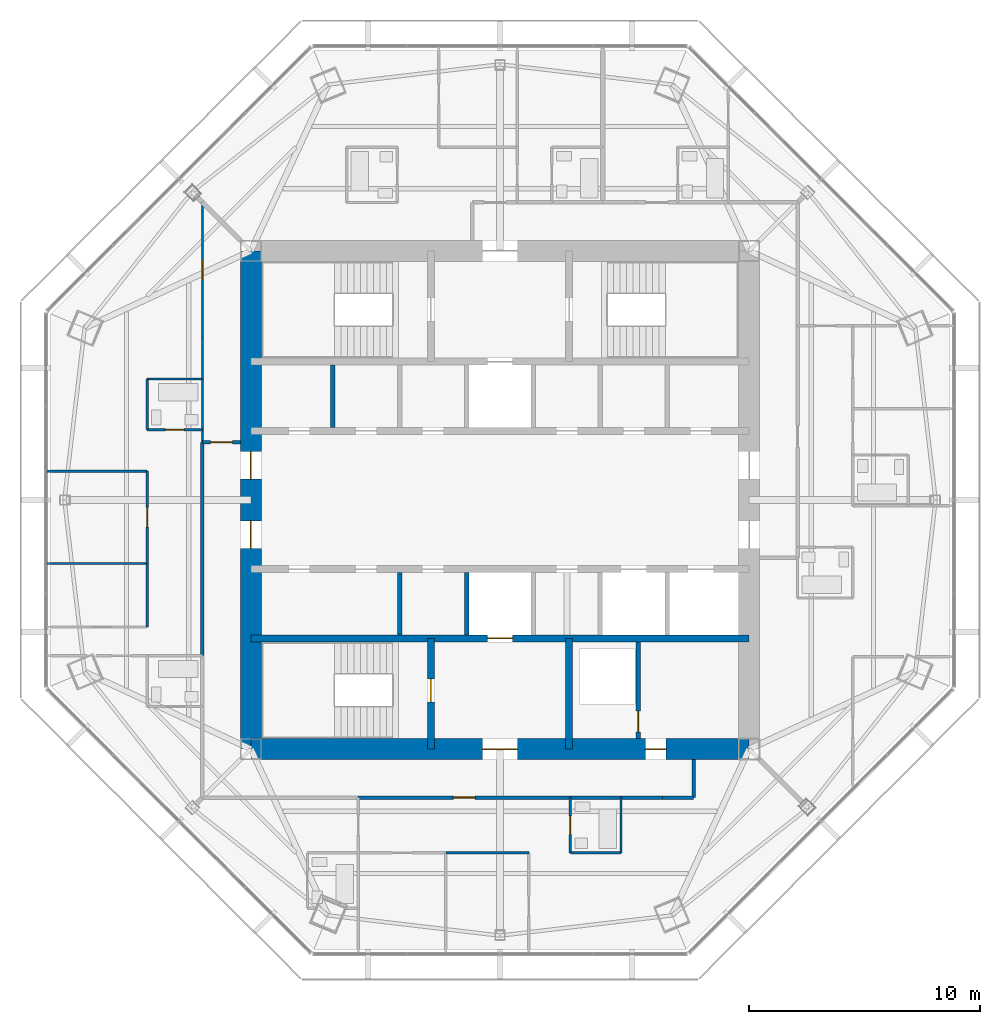
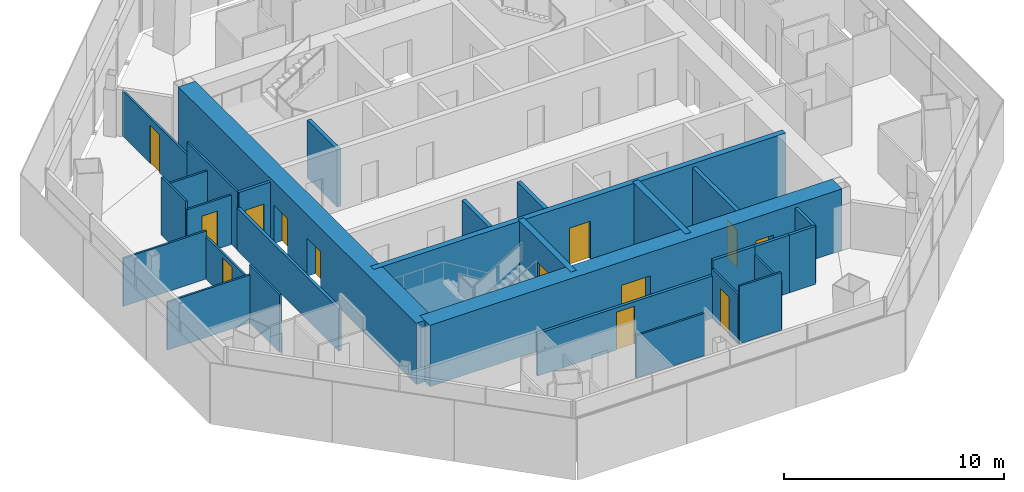
# One storey, part 9 of 15: 29 walls, 13 doors, 13 openings.
"""IFC4 building model written with IfcOpenShell, lengths in metres."""

from ifc_helpers import new_model, si_unit, direction, frame, frame_2d, origin, place, context, subcontext, project, spatial, rectangle, extrude, material, layer, layer_set, type_object, element, fill, save


model = new_model("IFC4")

# Units and contexts
model_context = context("Model", 3, precision=1e-05, world=origin(), true_north=direction((0.0, 1.0)))
body_context = subcontext(model_context, "Body", "Model", "MODEL_VIEW")
ifc_project = project(units=[si_unit("LENGTHUNIT", "METRE"), si_unit("AREAUNIT", "SQUARE_METRE"), si_unit("VOLUMEUNIT", "CUBIC_METRE"), si_unit("PLANEANGLEUNIT", "RADIAN"), si_unit("MASSUNIT", "GRAM", prefix="KILO")], contexts=[model_context])

# Site, building, storey
site_placement = place(None, origin())
site = spatial("IfcSite", under=ifc_project, at=site_placement, CompositionType="ELEMENT")
building_placement = place(site_placement, origin())
building = spatial("IfcBuilding", under=site, at=building_placement, Name="Mashrafa Tower", CompositionType="ELEMENT")
storey_placement = place(building_placement, frame((0.0, 0.0, 294.60009765625)))
storey = spatial("IfcBuildingStorey", under=building, at=storey_placement, Name="L72", CompositionType="ELEMENT", Elevation=294.60009765625)

# Wall, opening, door
ifc_material_1 = material(Name="Concrete masonry unit", Category="masonry")
ifc_layer_1 = layer(ifc_material_1, 0.199951171875)
ifc_layer_set_1 = layer_set([ifc_layer_1], Name="Blockwork wall 200 2 hr")
wall_type_1 = type_object("IfcWallType", Name="Blockwork wall 200 2 hr", PredefinedType="PARTITIONING", material=ifc_layer_set_1)
wall_1_placement = place(storey_placement, frame((6.0, -10.35009765625, 0.0), z_axis=(0.0, 0.0, 1.0), x_axis=(0.0, 1.0, 0.0)))
wall_1 = element("IfcWall", 1, at=wall_1_placement, inside=storey, type_object=wall_type_1, Name="Riser enclosure wall L72", PredefinedType="PARTITIONING", context=body_context, shape_type="SweptSolid", body=[
    extrude(rectangle(XDim=4.2001953125, YDim=0.199951171875, at=frame_2d((2.10009765625, 0.0))), origin(), (0.0, 0.0, 1.0), 3.199951171875),
])
opening_1_placement = place(wall_1_placement, frame((0.300048828125, 0.0, 0.0)))
opening_1 = element("IfcOpeningElement", 2, at=opening_1_placement, cuts=wall_1, Name="Opening 72.039", PredefinedType="OPENING", context=body_context, shape_type="SweptSolid", body=[
    extrude(rectangle(XDim=0.89990234375, YDim=2.10009765625, at=frame_2d((0.449951171875, 1.050048828125))), frame((0.0, 0.10986328125, 0.0), z_axis=(0.0, -1.0, 0.0), x_axis=(1.0, 0.0, 0.0)), (0.0, 0.0, 1.0), 0.219970703125),
])
ifc_material_2 = material(Name="Steel door", Category="steel")
door_type_1 = type_object("IfcDoorType", Name="Service door 900 x 2100 90 min", OperationType="USERDEFINED", PredefinedType="DOOR", material=ifc_material_2)
door_1_placement = place(opening_1_placement, origin())
door_1 = element("IfcDoor", 3, at=door_1_placement, inside=storey, type_object=door_type_1, Name="Riser door L72", OperationType="SINGLE_SWING_LEFT", OverallHeight=2.10009765625, OverallWidth=0.89990234375, PredefinedType="DOOR", context=body_context, shape_type="SweptSolid", body=[
    extrude(rectangle(XDim=0.89990234375, YDim=2.10009765625, at=frame_2d((0.449951171875, 1.050048828125))), frame((0.0, 0.02490234375, 0.0), z_axis=(0.0, -1.0, 0.0), x_axis=(1.0, 0.0, 0.0)), (0.0, 0.0, 1.0), 0.050048828125),
])
fill(opening_1, door_1)

ifc_material_3 = material(Name="Concrete C50/60", Category="concrete")
ifc_layer_2 = layer(ifc_material_3, 0.300048828125)
ifc_layer_set_2 = layer_set([ifc_layer_2], Name="Core wall 300 C50/60")
wall_type_2 = type_object("IfcWallType", Name="Core wall 300 C50/60", PredefinedType="SOLIDWALL", material=ifc_layer_set_2)
wall_2_placement = place(storey_placement, frame((-10.800048828125, -6.0, 0.0), z_axis=(0.0, 0.0, 1.0), x_axis=(1.0, 0.0, 0.0)))
wall_2 = element("IfcWall", 4, at=wall_2_placement, inside=storey, type_object=wall_type_2, Name="Core wall CB-S L72", PredefinedType="SOLIDWALL", context=body_context, shape_type="SweptSolid", body=[
    extrude(rectangle(XDim=21.60009765625, YDim=0.300048828125, at=frame_2d((10.800048828125, 0.0))), origin(), (0.0, 0.0, 1.0), 3.39990234375),
])
opening_2_placement = place(wall_2_placement, frame((10.25, 0.0, 0.0)))
opening_2 = element("IfcOpeningElement", 5, at=opening_2_placement, cuts=wall_2, Name="Opening 72.F2", PredefinedType="OPENING", context=body_context, shape_type="SweptSolid", body=[
    extrude(rectangle(XDim=1.10009765625, YDim=2.10009765625, at=frame_2d((0.550048828125, 1.050048828125))), frame((0.0, 0.159912109375, 0.0), z_axis=(0.0, -1.0, 0.0), x_axis=(1.0, 0.0, 0.0)), (0.0, 0.0, 1.0), 0.320068359375),
])
ifc_material_4 = material(Name="Steel door", Category="steel")
door_type_2 = type_object("IfcDoorType", Name="Lift landing door 1100 x 2100 90 min", OperationType="DOUBLE_DOOR_SLIDING", PredefinedType="DOOR", material=ifc_material_4)
door_2_placement = place(opening_2_placement, origin())
door_2 = element("IfcDoor", 6, at=door_2_placement, inside=storey, type_object=door_type_2, Name="Lift landing door F2 L72", OperationType="DOUBLE_DOOR_SLIDING", OverallHeight=2.10009765625, OverallWidth=1.10009765625, PredefinedType="DOOR", context=body_context, shape_type="SweptSolid", body=[
    extrude(rectangle(XDim=1.10009765625, YDim=2.10009765625, at=frame_2d((0.550048828125, 1.050048828125))), frame((0.0, 0.02490234375, 0.0), z_axis=(0.0, -1.0, 0.0), x_axis=(1.0, 0.0, 0.0)), (0.0, 0.0, 1.0), 0.050048828125),
])
fill(opening_2, door_2)

wall_3_placement = place(storey_placement, frame((-3.0, -6.0, 0.0), z_axis=(0.0, 0.0, 1.0), x_axis=(0.0, -1.0, 0.0)))
wall_3 = element("IfcWall", 7, at=wall_3_placement, inside=storey, type_object=wall_type_2, Name="Core wall CX-SW L72", PredefinedType="SOLIDWALL", context=body_context, shape_type="SweptSolid", body=[
    extrude(rectangle(XDim=4.800048828125, YDim=0.300048828125, at=frame_2d((2.39990234375, 0.0))), origin(), (0.0, 0.0, 1.0), 3.39990234375),
])
opening_3_placement = place(wall_3_placement, frame((1.75, 0.0, 0.0)))
opening_3 = element("IfcOpeningElement", 8, at=opening_3_placement, cuts=wall_3, Name="Opening 72.037", PredefinedType="OPENING", context=body_context, shape_type="SweptSolid", body=[
    extrude(rectangle(XDim=1.0, YDim=2.10009765625, at=frame_2d((0.5, 1.050048828125))), frame((0.0, 0.159912109375, 0.0), z_axis=(0.0, -1.0, 0.0), x_axis=(1.0, 0.0, 0.0)), (0.0, 0.0, 1.0), 0.320068359375),
])
ifc_material_5 = material(Name="Steel door", Category="steel")
door_type_3 = type_object("IfcDoorType", Name="Stair door 1000 x 2100 90 min", OperationType="USERDEFINED", PredefinedType="DOOR", material=ifc_material_5)
door_3_placement = place(opening_3_placement, frame((1.0, 0.0, 0.0), z_axis=(0.0, 0.0, 1.0), x_axis=(-1.0, 0.0, 0.0)))
door_3 = element("IfcDoor", 9, at=door_3_placement, inside=storey, type_object=door_type_3, Name="Stair S3 door L72", OperationType="SINGLE_SWING_RIGHT", OverallHeight=2.10009765625, OverallWidth=1.0, PredefinedType="DOOR", context=body_context, shape_type="SweptSolid", body=[
    extrude(rectangle(XDim=1.0, YDim=2.10009765625, at=frame_2d((0.5, 1.050048828125))), frame((0.0, 0.02490234375, 0.0), z_axis=(0.0, -1.0, 0.0), x_axis=(1.0, 0.0, 0.0)), (0.0, 0.0, 1.0), 0.050048828125),
])
fill(opening_3, door_3)

# Wall
wall_4_placement = place(storey_placement, frame((3.0, -6.0, 0.0), z_axis=(0.0, 0.0, 1.0), x_axis=(0.0, -1.0, 0.0)))
element("IfcWall", 10, at=wall_4_placement, inside=storey, type_object=wall_type_2, Name="Core wall CX-SE L72", PredefinedType="SOLIDWALL", context=body_context, shape_type="SweptSolid", body=[
    extrude(rectangle(XDim=4.800048828125, YDim=0.300048828125, at=frame_2d((2.39990234375, 0.0))), origin(), (0.0, 0.0, 1.0), 3.39990234375),
])

# Wall, openings, doors
ifc_material_6 = material(Name="Concrete C50/60", Category="concrete")
ifc_layer_3 = layer(ifc_material_6, 0.89990234375)
ifc_layer_set_3 = layer_set([ifc_layer_3], Name="Core wall 900 C50/60")
wall_type_3 = type_object("IfcWallType", Name="Core wall 900 C50/60", PredefinedType="SOLIDWALL", material=ifc_layer_set_3)
wall_5_placement = place(storey_placement, frame((-10.800048828125, -10.800048828125, 0.0), z_axis=(0.0, 0.0, 1.0), x_axis=(1.0, 0.0, 0.0)))
wall_5 = element("IfcWall", 11, at=wall_5_placement, inside=storey, type_object=wall_type_3, Name="Core wall CW-S L72", PredefinedType="SOLIDWALL", context=body_context, shape_type="SweptSolid", body=[
    extrude(rectangle(XDim=21.60009765625, YDim=0.89990234375, at=frame_2d((10.800048828125, 0.0))), origin(), (0.0, 0.0, 1.0), 3.39990234375),
])
opening_4_placement = place(wall_5_placement, frame((10.050048828125, 0.0, 0.0)))
opening_4 = element("IfcOpeningElement", 12, at=opening_4_placement, cuts=wall_5, Name="Opening 72.034", PredefinedType="OPENING", context=body_context, shape_type="SweptSolid", body=[
    extrude(rectangle(XDim=1.5, YDim=2.10009765625, at=frame_2d((0.75, 1.050048828125))), frame((0.0, 0.4599609375, 0.0), z_axis=(0.0, -1.0, 0.0), x_axis=(1.0, 0.0, 0.0)), (0.0, 0.0, 1.0), 0.919921875),
])
opening_5_placement = place(wall_5_placement, frame((17.10009765625, 0.0, 0.0)))
opening_5 = element("IfcOpeningElement", 13, at=opening_5_placement, cuts=wall_5, Name="Opening 72.038", PredefinedType="OPENING", context=body_context, shape_type="SweptSolid", body=[
    extrude(rectangle(XDim=0.89990234375, YDim=2.10009765625, at=frame_2d((0.449951171875, 1.050048828125))), frame((0.0, 0.4599609375, 0.0), z_axis=(0.0, -1.0, 0.0), x_axis=(1.0, 0.0, 0.0)), (0.0, 0.0, 1.0), 0.919921875),
])
ifc_material_7 = material(Name="Steel door", Category="steel")
door_type_4 = type_object("IfcDoorType", Name="Lobby door pair 1500 x 2100 90 min", OperationType="DOUBLE_DOOR_SINGLE_SWING", PredefinedType="DOOR", material=ifc_material_7)
door_4_placement = place(opening_4_placement, origin())
door_4 = element("IfcDoor", 14, at=door_4_placement, inside=storey, type_object=door_type_4, Name="Fire-fighting lobby F2 door L72", OperationType="DOUBLE_DOOR_SINGLE_SWING", OverallHeight=2.10009765625, OverallWidth=1.5, PredefinedType="DOOR", context=body_context, shape_type="SweptSolid", body=[
    extrude(rectangle(XDim=1.5, YDim=2.10009765625, at=frame_2d((0.75, 1.050048828125))), frame((0.0, 0.02490234375, 0.0), z_axis=(0.0, -1.0, 0.0), x_axis=(1.0, 0.0, 0.0)), (0.0, 0.0, 1.0), 0.050048828125),
])
fill(opening_4, door_4)
door_5_placement = place(opening_5_placement, origin())
door_5 = element("IfcDoor", 15, at=door_5_placement, inside=storey, type_object=door_type_1, Name="Communications Room L72 door", OperationType="SINGLE_SWING_LEFT", OverallHeight=2.10009765625, OverallWidth=0.89990234375, PredefinedType="DOOR", context=body_context, shape_type="SweptSolid", body=[
    extrude(rectangle(XDim=0.89990234375, YDim=2.10009765625, at=frame_2d((0.449951171875, 1.050048828125))), frame((0.0, 0.02490234375, 0.0), z_axis=(0.0, -1.0, 0.0), x_axis=(1.0, 0.0, 0.0)), (0.0, 0.0, 1.0), 0.050048828125),
])
fill(opening_5, door_5)

wall_6_placement = place(storey_placement, frame((-10.800048828125, 10.800048828125, 0.0), z_axis=(0.0, 0.0, 1.0), x_axis=(0.0, -1.0, 0.0)))
wall_6 = element("IfcWall", 16, at=wall_6_placement, inside=storey, type_object=wall_type_3, Name="Core wall CW-W L72", PredefinedType="SOLIDWALL", context=body_context, shape_type="SweptSolid", body=[
    extrude(rectangle(XDim=21.60009765625, YDim=0.89990234375, at=frame_2d((10.800048828125, 0.0))), origin(), (0.0, 0.0, 1.0), 3.39990234375),
])
opening_6_placement = place(wall_6_placement, frame((8.699951171875, 0.0, 0.0)))
opening_6 = element("IfcOpeningElement", 17, at=opening_6_placement, cuts=wall_6, Name="Opening 72.030", PredefinedType="OPENING", context=body_context, shape_type="SweptSolid", body=[
    extrude(rectangle(XDim=1.199951171875, YDim=2.10009765625, at=frame_2d((0.60009765625, 1.050048828125))), frame((0.0, 0.4599609375, 0.0), z_axis=(0.0, -1.0, 0.0), x_axis=(1.0, 0.0, 0.0)), (0.0, 0.0, 1.0), 0.919921875),
])
opening_7_placement = place(wall_6_placement, frame((11.699951171875, 0.0, 0.0)))
opening_7 = element("IfcOpeningElement", 18, at=opening_7_placement, cuts=wall_6, Name="Opening 72.032", PredefinedType="OPENING", context=body_context, shape_type="SweptSolid", body=[
    extrude(rectangle(XDim=1.199951171875, YDim=2.10009765625, at=frame_2d((0.60009765625, 1.050048828125))), frame((0.0, 0.4599609375, 0.0), z_axis=(0.0, -1.0, 0.0), x_axis=(1.0, 0.0, 0.0)), (0.0, 0.0, 1.0), 0.919921875),
])
ifc_material_8 = material(Name="Steel door", Category="steel")
door_type_5 = type_object("IfcDoorType", Name="Lift hall door 1200 x 2100 90 min", OperationType="USERDEFINED", PredefinedType="DOOR", material=ifc_material_8)
door_6_placement = place(opening_6_placement, origin())
door_6 = element("IfcDoor", 19, at=door_6_placement, inside=storey, type_object=door_type_5, Name="Lift hall door west L72", OperationType="SINGLE_SWING_LEFT", OverallHeight=2.10009765625, OverallWidth=1.199951171875, PredefinedType="DOOR", context=body_context, shape_type="SweptSolid", body=[
    extrude(rectangle(XDim=1.199951171875, YDim=2.10009765625, at=frame_2d((0.60009765625, 1.050048828125))), frame((0.0, 0.02490234375, 0.0), z_axis=(0.0, -1.0, 0.0), x_axis=(1.0, 0.0, 0.0)), (0.0, 0.0, 1.0), 0.050048828125),
])
fill(opening_6, door_6)
door_7_placement = place(opening_7_placement, frame((1.199951171875, 0.0, 0.0), z_axis=(0.0, 0.0, 1.0), x_axis=(-1.0, 0.0, 0.0)))
door_7 = element("IfcDoor", 20, at=door_7_placement, inside=storey, type_object=door_type_5, Name="Lift hall door west L72", OperationType="SINGLE_SWING_RIGHT", OverallHeight=2.10009765625, OverallWidth=1.199951171875, PredefinedType="DOOR", context=body_context, shape_type="SweptSolid", body=[
    extrude(rectangle(XDim=1.199951171875, YDim=2.10009765625, at=frame_2d((0.60009765625, 1.050048828125))), frame((0.0, 0.02490234375, 0.0), z_axis=(0.0, -1.0, 0.0), x_axis=(1.0, 0.0, 0.0)), (0.0, 0.0, 1.0), 0.050048828125),
])
fill(opening_7, door_7)

# Walls
ifc_material_9 = material(Name="Gypsum board on steel studs", Category="steel")
ifc_layer_4 = layer(ifc_material_9, 0.14990234375)
ifc_layer_set_4 = layer_set([ifc_layer_4], Name="Corridor partition 150 1 hr")
wall_type_4 = type_object("IfcWallType", Name="Corridor partition 150 1 hr", PredefinedType="PARTITIONING", material=ifc_layer_set_4)
wall_7_placement = place(storey_placement, frame((-12.89990234375, 2.5, 0.0), z_axis=(0.0, 0.0, 1.0), x_axis=(0.0, -1.0, 0.0)))
element("IfcWall", 21, at=wall_7_placement, inside=storey, type_object=wall_type_4, Name="Corridor wall L72-015", PredefinedType="PARTITIONING", context=body_context, shape_type="SweptSolid", body=[
    extrude(rectangle(XDim=9.2509765625, YDim=0.14990234375, at=frame_2d((4.62548828125, 0.0))), origin(), (0.0, 0.0, 1.0), 2.34912109375),
])
wall_8_placement = place(storey_placement, frame((5.2490234375, -12.89990234375, 0.0), z_axis=(0.0, 0.0, 1.0), x_axis=(1.0, 0.0, 0.0)))
element("IfcWall", 22, at=wall_8_placement, inside=storey, type_object=wall_type_4, Name="Corridor wall L72-016", PredefinedType="PARTITIONING", context=body_context, shape_type="SweptSolid", body=[
    extrude(rectangle(XDim=1.802001953125, YDim=0.14990234375, at=frame_2d((0.90087890625, 0.0))), origin(), (0.0, 0.0, 1.0), 3.199951171875),
])
wall_9_placement = place(storey_placement, frame((3.049072265625, -12.89990234375, 0.0), z_axis=(0.0, 0.0, 1.0), x_axis=(1.0, 0.0, 0.0)))
element("IfcWall", 23, at=wall_9_placement, inside=storey, type_object=wall_type_4, Name="Corridor wall L72-017", PredefinedType="PARTITIONING", context=body_context, shape_type="SweptSolid", body=[
    extrude(rectangle(XDim=2.201904296875, YDim=0.14990234375, at=frame_2d((1.10107421875, 0.0))), origin(), (0.0, 0.0, 1.0), 3.199951171875),
])

# Wall, opening, door
wall_10_placement = place(storey_placement, frame((-6.15087890625, -12.89990234375, 0.0), z_axis=(0.0, 0.0, 1.0), x_axis=(1.0, 0.0, 0.0)))
wall_10 = element("IfcWall", 24, at=wall_10_placement, inside=storey, type_object=wall_type_4, Name="Corridor wall L72-019", PredefinedType="PARTITIONING", context=body_context, shape_type="SweptSolid", body=[
    extrude(rectangle(XDim=9.201904296875, YDim=0.14990234375, at=frame_2d((4.60107421875, 0.0))), origin(), (0.0, 0.0, 1.0), 2.34912109375),
])
opening_8_placement = place(wall_10_placement, frame((4.1259765625, 0.0, 0.0)))
opening_8 = element("IfcOpeningElement", 25, at=opening_8_placement, cuts=wall_10, Name="Opening 72.027", PredefinedType="OPENING", context=body_context, shape_type="SweptSolid", body=[
    extrude(rectangle(XDim=0.949951171875, YDim=2.10009765625, at=frame_2d((0.47509765625, 1.050048828125))), frame((0.0, 0.0849609375, 0.0), z_axis=(0.0, -1.0, 0.0), x_axis=(1.0, 0.0, 0.0)), (0.0, 0.0, 1.0), 0.169921875),
])
ifc_material_10 = material(Name="Steel door", Category="steel")
door_type_6 = type_object("IfcDoorType", Name="Residence entrance door 950 x 2100 20 min", OperationType="USERDEFINED", PredefinedType="DOOR", material=ifc_material_10)
door_8_placement = place(opening_8_placement, frame((0.949951171875, 0.0, 0.0), z_axis=(0.0, 0.0, 1.0), x_axis=(-1.0, 0.0, 0.0)))
door_8 = element("IfcDoor", 26, at=door_8_placement, inside=storey, type_object=door_type_6, Name="Apartment 7205 Living Room door", OperationType="SINGLE_SWING_RIGHT", OverallHeight=2.10009765625, OverallWidth=0.949951171875, PredefinedType="DOOR", context=body_context, shape_type="SweptSolid", body=[
    extrude(rectangle(XDim=0.949951171875, YDim=2.10009765625, at=frame_2d((0.47509765625, 1.050048828125))), frame((0.0, 0.02490234375, 0.0), z_axis=(0.0, -1.0, 0.0), x_axis=(1.0, 0.0, 0.0)), (0.0, 0.0, 1.0), 0.050048828125),
])
fill(opening_8, door_8)

# Walls
wall_11_placement = place(storey_placement, frame((7.049072265625, -12.89990234375, 0.0), z_axis=(0.0, 0.0, 1.0), x_axis=(1.0, 0.0, 0.0)))
element("IfcWall", 27, at=wall_11_placement, inside=storey, type_object=wall_type_4, Name="Corridor wall L72-020", PredefinedType="PARTITIONING", context=body_context, shape_type="SweptSolid", body=[
    extrude(rectangle(XDim=1.350830078125, YDim=0.14990234375, at=frame_2d((0.67529296875, 0.0))), origin(), (0.0, 0.0, 1.0), 3.199951171875),
])
wall_12_placement = place(storey_placement, frame((8.39990234375, -12.89990234375, 0.0), z_axis=(0.0, 0.0, 1.0), x_axis=(0.0, 1.0, 0.0)))
element("IfcWall", 28, at=wall_12_placement, inside=storey, type_object=wall_type_4, Name="Corridor wall L72-021", PredefinedType="PARTITIONING", context=body_context, shape_type="SweptSolid", body=[
    extrude(rectangle(XDim=1.64990234375, YDim=0.14990234375, at=frame_2d((0.824951171875, 0.0))), origin(), (0.0, 0.0, 1.0), 3.199951171875),
])

# Wall, opening, door
wall_13_placement = place(storey_placement, frame((-11.25, 2.5, 0.0), z_axis=(0.0, 0.0, 1.0), x_axis=(-1.0, 0.0, 0.0)))
wall_13 = element("IfcWall", 29, at=wall_13_placement, inside=storey, type_object=wall_type_4, Name="Corridor wall L72-022", PredefinedType="PARTITIONING", context=body_context, shape_type="SweptSolid", body=[
    extrude(rectangle(XDim=1.64990234375, YDim=0.14990234375, at=frame_2d((0.824951171875, 0.0))), origin(), (0.0, 0.0, 1.0), 3.199951171875),
])
opening_9_placement = place(wall_13_placement, frame((0.35009765625, 0.0, 0.0)))
opening_9 = element("IfcOpeningElement", 30, at=opening_9_placement, cuts=wall_13, Name="Opening 72.028", PredefinedType="OPENING", context=body_context, shape_type="SweptSolid", body=[
    extrude(rectangle(XDim=0.949951171875, YDim=2.10009765625, at=frame_2d((0.47509765625, 1.050048828125))), frame((0.0, 0.0849609375, 0.0), z_axis=(0.0, -1.0, 0.0), x_axis=(1.0, 0.0, 0.0)), (0.0, 0.0, 1.0), 0.169921875),
])
door_9_placement = place(opening_9_placement, origin())
door_9 = element("IfcDoor", 31, at=door_9_placement, inside=storey, type_object=door_type_6, Name="Apartment 7204 Entrance Hall door", OperationType="SINGLE_SWING_RIGHT", OverallHeight=2.10009765625, OverallWidth=0.949951171875, PredefinedType="DOOR", context=body_context, shape_type="SweptSolid", body=[
    extrude(rectangle(XDim=0.949951171875, YDim=2.10009765625, at=frame_2d((0.47509765625, 1.050048828125))), frame((0.0, 0.02490234375, 0.0), z_axis=(0.0, -1.0, 0.0), x_axis=(1.0, 0.0, 0.0)), (0.0, 0.0, 1.0), 0.050048828125),
])
fill(opening_9, door_9)

# Walls
ifc_material_11 = material(Name="Gypsum board on steel studs", Category="steel")
ifc_layer_5 = layer(ifc_material_11, 0.10009765625)
ifc_layer_set_5 = layer_set([ifc_layer_5], Name="Partition 100")
wall_type_5 = type_object("IfcWallType", Name="Partition 100", PredefinedType="PARTITIONING", material=ifc_layer_set_5)
wall_14_placement = place(storey_placement, frame((-15.300048828125, -2.75, 0.0), z_axis=(0.0, 0.0, 1.0), x_axis=(-1.0, 0.0, 0.0)))
element("IfcWall", 32, at=wall_14_placement, inside=storey, type_object=wall_type_5, Name="Partition wall L72-023", PredefinedType="PARTITIONING", context=body_context, shape_type="SweptSolid", body=[
    extrude(rectangle(XDim=4.36279296875, YDim=0.10009765625, at=frame_2d((2.181396484375, 0.0))), origin(), (0.0, 0.0, 1.0), 2.66162109375),
])
wall_15_placement = place(storey_placement, frame((-15.300048828125, -5.50341796875, 0.0), z_axis=(0.0, 0.0, 1.0), x_axis=(0.0, 1.0, 0.0)))
element("IfcWall", 33, at=wall_15_placement, inside=storey, type_object=wall_type_5, Name="Partition wall L72-025", PredefinedType="PARTITIONING", context=body_context, shape_type="SweptSolid", body=[
    extrude(rectangle(XDim=2.75341796875, YDim=0.10009765625, at=frame_2d((1.376708984375, 0.0))), origin(), (0.0, 0.0, 1.0), 3.199951171875),
])
wall_16_placement = place(storey_placement, frame((-15.300048828125, 5.25, 0.0), z_axis=(0.0, 0.0, 1.0), x_axis=(1.0, 0.0, 0.0)))
element("IfcWall", 34, at=wall_16_placement, inside=storey, type_object=wall_type_5, Name="Partition wall L72-064", PredefinedType="PARTITIONING", context=body_context, shape_type="SweptSolid", body=[
    extrude(rectangle(XDim=2.400146484375, YDim=0.10009765625, at=frame_2d((1.2001953125, 0.0))), origin(), (0.0, 0.0, 1.0), 2.730224609375),
])
wall_17_placement = place(storey_placement, frame((-12.89990234375, 7.050048828125, 0.0), z_axis=(0.0, 0.0, 1.0), x_axis=(0.0, -1.0, 0.0)))
element("IfcWall", 35, at=wall_17_placement, inside=storey, type_object=wall_type_5, Name="Partition wall L72-065", PredefinedType="PARTITIONING", context=body_context, shape_type="SweptSolid", body=[
    extrude(rectangle(XDim=4.551025390625, YDim=0.10009765625, at=frame_2d((2.275390625, 0.0))), origin(), (0.0, 0.0, 1.0), 3.199951171875),
])
wall_18_placement = place(storey_placement, frame((-15.300048828125, 5.25, 0.0), z_axis=(0.0, 0.0, 1.0), x_axis=(0.0, -1.0, 0.0)))
element("IfcWall", 36, at=wall_18_placement, inside=storey, type_object=wall_type_5, Name="Partition wall L72-066", PredefinedType="PARTITIONING", context=body_context, shape_type="SweptSolid", body=[
    extrude(rectangle(XDim=2.199951171875, YDim=0.10009765625, at=frame_2d((1.10009765625, 0.0))), origin(), (0.0, 0.0, 1.0), 3.199951171875),
])

# Wall, opening, door
wall_19_placement = place(storey_placement, frame((-15.300048828125, 3.050048828125, 0.0), z_axis=(0.0, 0.0, 1.0), x_axis=(1.0, 0.0, 0.0)))
wall_19 = element("IfcWall", 37, at=wall_19_placement, inside=storey, type_object=wall_type_5, Name="Partition wall L72-067", PredefinedType="PARTITIONING", context=body_context, shape_type="SweptSolid", body=[
    extrude(rectangle(XDim=2.400146484375, YDim=0.10009765625, at=frame_2d((1.2001953125, 0.0))), origin(), (0.0, 0.0, 1.0), 2.730224609375),
])
opening_10_placement = place(wall_19_placement, frame((0.800048828125, 0.0, 0.0)))
opening_10 = element("IfcOpeningElement", 38, at=opening_10_placement, cuts=wall_19, Name="Opening 72.017", PredefinedType="OPENING", context=body_context, shape_type="SweptSolid", body=[
    extrude(rectangle(XDim=0.800048828125, YDim=2.10009765625, at=frame_2d((0.39990234375, 1.050048828125))), frame((0.0, 0.06005859375, 0.0), z_axis=(0.0, -1.0, 0.0), x_axis=(1.0, 0.0, 0.0)), (0.0, 0.0, 1.0), 0.1201171875),
])
ifc_material_12 = material(Name="Timber door", Category="wood")
door_type_7 = type_object("IfcDoorType", Name="Bathroom door 800 x 2100", OperationType="USERDEFINED", PredefinedType="DOOR", material=ifc_material_12)
door_10_placement = place(opening_10_placement, origin())
door_10 = element("IfcDoor", 39, at=door_10_placement, inside=storey, type_object=door_type_7, Name="Apartment 7204 Bathroom door", OperationType="SINGLE_SWING_RIGHT", OverallHeight=2.10009765625, OverallWidth=0.800048828125, PredefinedType="DOOR", context=body_context, shape_type="SweptSolid", body=[
    extrude(rectangle(XDim=0.800048828125, YDim=2.10009765625, at=frame_2d((0.39990234375, 1.050048828125))), frame((0.0, 0.02490234375, 0.0), z_axis=(0.0, -1.0, 0.0), x_axis=(1.0, 0.0, 0.0)), (0.0, 0.0, 1.0), 0.050048828125),
])
fill(opening_10, door_10)

wall_20_placement = place(storey_placement, frame((-15.300048828125, -2.75, 0.0), z_axis=(0.0, 0.0, 1.0), x_axis=(0.0, 1.0, 0.0)))
wall_20 = element("IfcWall", 40, at=wall_20_placement, inside=storey, type_object=wall_type_5, Name="Partition wall L72-069", PredefinedType="PARTITIONING", context=body_context, shape_type="SweptSolid", body=[
    extrude(rectangle(XDim=4.0, YDim=0.10009765625, at=frame_2d((2.0, 0.0))), origin(), (0.0, 0.0, 1.0), 2.34912109375),
])
opening_11_placement = place(wall_20_placement, frame((1.574951171875, 0.0, 0.0)))
opening_11 = element("IfcOpeningElement", 41, at=opening_11_placement, cuts=wall_20, Name="Opening 72.018", PredefinedType="OPENING", context=body_context, shape_type="SweptSolid", body=[
    extrude(rectangle(XDim=0.85009765625, YDim=2.10009765625, at=frame_2d((0.425048828125, 1.050048828125))), frame((0.0, 0.06005859375, 0.0), z_axis=(0.0, -1.0, 0.0), x_axis=(1.0, 0.0, 0.0)), (0.0, 0.0, 1.0), 0.1201171875),
])
ifc_material_13 = material(Name="Timber door", Category="wood")
door_type_8 = type_object("IfcDoorType", Name="Bedroom door 850 x 2100", OperationType="USERDEFINED", PredefinedType="DOOR", material=ifc_material_13)
door_11_placement = place(opening_11_placement, origin())
door_11 = element("IfcDoor", 42, at=door_11_placement, inside=storey, type_object=door_type_8, Name="Apartment 7204 Bedroom 1 door", OperationType="SINGLE_SWING_LEFT", OverallHeight=2.10009765625, OverallWidth=0.85009765625, PredefinedType="DOOR", context=body_context, shape_type="SweptSolid", body=[
    extrude(rectangle(XDim=0.85009765625, YDim=2.10009765625, at=frame_2d((0.425048828125, 1.050048828125))), frame((0.0, 0.02490234375, 0.0), z_axis=(0.0, -1.0, 0.0), x_axis=(1.0, 0.0, 0.0)), (0.0, 0.0, 1.0), 0.050048828125),
])
fill(opening_11, door_11)

# Wall
wall_21_placement = place(storey_placement, frame((-15.300048828125, 1.25, 0.0), z_axis=(0.0, 0.0, 1.0), x_axis=(-1.0, 0.0, 0.0)))
element("IfcWall", 43, at=wall_21_placement, inside=storey, type_object=wall_type_5, Name="Partition wall L72-070", PredefinedType="PARTITIONING", context=body_context, shape_type="SweptSolid", body=[
    extrude(rectangle(XDim=4.36279296875, YDim=0.10009765625, at=frame_2d((2.181396484375, 0.0))), origin(), (0.0, 0.0, 1.0), 2.66162109375),
])

# Wall, opening, door
wall_22_placement = place(storey_placement, frame((-12.89990234375, 7.050048828125, 0.0), z_axis=(0.0, 0.0, 1.0), x_axis=(0.0, 1.0, 0.0)))
wall_22 = element("IfcWall", 44, at=wall_22_placement, inside=storey, type_object=wall_type_5, Name="Partition wall L72-078", PredefinedType="PARTITIONING", context=body_context, shape_type="SweptSolid", body=[
    extrude(rectangle(XDim=5.849853515625, YDim=0.10009765625, at=frame_2d((2.9248046875, 0.0))), origin(), (0.0, 0.0, 1.0), 2.49658203125),
])
opening_12_placement = place(wall_22_placement, frame((2.5, 0.0, 0.0)))
opening_12 = element("IfcOpeningElement", 45, at=opening_12_placement, cuts=wall_22, Name="Opening 72.021", PredefinedType="OPENING", context=body_context, shape_type="SweptSolid", body=[
    extrude(rectangle(XDim=0.85009765625, YDim=2.10009765625, at=frame_2d((0.425048828125, 1.050048828125))), frame((0.0, 0.06005859375, 0.0), z_axis=(0.0, -1.0, 0.0), x_axis=(1.0, 0.0, 0.0)), (0.0, 0.0, 1.0), 0.1201171875),
])
door_12_placement = place(opening_12_placement, origin())
door_12 = element("IfcDoor", 46, at=door_12_placement, inside=storey, type_object=door_type_8, Name="Apartment 7204 Living Room door", OperationType="SINGLE_SWING_RIGHT", OverallHeight=2.10009765625, OverallWidth=0.85009765625, PredefinedType="DOOR", context=body_context, shape_type="SweptSolid", body=[
    extrude(rectangle(XDim=0.85009765625, YDim=2.10009765625, at=frame_2d((0.425048828125, 1.050048828125))), frame((0.0, 0.02490234375, 0.0), z_axis=(0.0, -1.0, 0.0), x_axis=(1.0, 0.0, 0.0)), (0.0, 0.0, 1.0), 0.050048828125),
])
fill(opening_12, door_12)

# Wall
wall_23_placement = place(storey_placement, frame((5.25, -12.89990234375, 0.0), z_axis=(0.0, 0.0, 1.0), x_axis=(0.0, -1.0, 0.0)))
element("IfcWall", 47, at=wall_23_placement, inside=storey, type_object=wall_type_5, Name="Partition wall L72-079", PredefinedType="PARTITIONING", context=body_context, shape_type="SweptSolid", body=[
    extrude(rectangle(XDim=2.400146484375, YDim=0.10009765625, at=frame_2d((1.2001953125, 0.0))), origin(), (0.0, 0.0, 1.0), 2.730224609375),
])

# Wall, opening, door
wall_24_placement = place(storey_placement, frame((3.050048828125, -12.89990234375, 0.0), z_axis=(0.0, 0.0, 1.0), x_axis=(0.0, -1.0, 0.0)))
wall_24 = element("IfcWall", 48, at=wall_24_placement, inside=storey, type_object=wall_type_5, Name="Partition wall L72-080", PredefinedType="PARTITIONING", context=body_context, shape_type="SweptSolid", body=[
    extrude(rectangle(XDim=2.400146484375, YDim=0.10009765625, at=frame_2d((1.2001953125, 0.0))), origin(), (0.0, 0.0, 1.0), 2.730224609375),
])
opening_13_placement = place(wall_24_placement, frame((0.800048828125, 0.0, 0.0)))
opening_13 = element("IfcOpeningElement", 49, at=opening_13_placement, cuts=wall_24, Name="Opening 72.022", PredefinedType="OPENING", context=body_context, shape_type="SweptSolid", body=[
    extrude(rectangle(XDim=0.800048828125, YDim=2.10009765625, at=frame_2d((0.39990234375, 1.050048828125))), frame((0.0, 0.06005859375, 0.0), z_axis=(0.0, -1.0, 0.0), x_axis=(1.0, 0.0, 0.0)), (0.0, 0.0, 1.0), 0.1201171875),
])
door_13_placement = place(opening_13_placement, origin())
door_13 = element("IfcDoor", 50, at=door_13_placement, inside=storey, type_object=door_type_7, Name="Apartment 7205 Bathroom door", OperationType="SINGLE_SWING_LEFT", OverallHeight=2.10009765625, OverallWidth=0.800048828125, PredefinedType="DOOR", context=body_context, shape_type="SweptSolid", body=[
    extrude(rectangle(XDim=0.800048828125, YDim=2.10009765625, at=frame_2d((0.39990234375, 1.050048828125))), frame((0.0, 0.02490234375, 0.0), z_axis=(0.0, -1.0, 0.0), x_axis=(1.0, 0.0, 0.0)), (0.0, 0.0, 1.0), 0.050048828125),
])
fill(opening_13, door_13)

# Walls
wall_25_placement = place(storey_placement, frame((3.050048828125, -15.300048828125, 0.0), z_axis=(0.0, 0.0, 1.0), x_axis=(1.0, 0.0, 0.0)))
element("IfcWall", 51, at=wall_25_placement, inside=storey, type_object=wall_type_5, Name="Partition wall L72-081", PredefinedType="PARTITIONING", context=body_context, shape_type="SweptSolid", body=[
    extrude(rectangle(XDim=2.199951171875, YDim=0.10009765625, at=frame_2d((1.10009765625, 0.0))), origin(), (0.0, 0.0, 1.0), 3.199951171875),
])
wall_26_placement = place(storey_placement, frame((1.25, -15.300048828125, 0.0), z_axis=(0.0, 0.0, 1.0), x_axis=(-1.0, 0.0, 0.0)))
element("IfcWall", 52, at=wall_26_placement, inside=storey, type_object=wall_type_5, Name="Partition wall L72-084", PredefinedType="PARTITIONING", context=body_context, shape_type="SweptSolid", body=[
    extrude(rectangle(XDim=3.60009765625, YDim=0.10009765625, at=frame_2d((1.800048828125, 0.0))), origin(), (0.0, 0.0, 1.0), 2.34912109375),
])
ifc_material_14 = material(Name="Gypsum shaft wall on steel studs", Category="steel")
ifc_layer_6 = layer(ifc_material_14, 0.199951171875)
ifc_layer_set_6 = layer_set([ifc_layer_6], Name="Shaft divider wall 200 2 hr")
wall_type_6 = type_object("IfcWallType", Name="Shaft divider wall 200 2 hr", PredefinedType="PARTITIONING", material=ifc_layer_set_6)
for number, where, z_axis, x_axis, name in (
    (53, (-7.25, 3.14990234375, 0.0), (0.0, 0.0, 1.0), (0.0, 1.0, 0.0), "Shaft divider wall N1 L72"),
    (54, (-4.35009765625, -5.85009765625, 0.0), (0.0, 0.0, 1.0), (0.0, 1.0, 0.0), "Shaft divider wall S2 L72"),
    (55, (-1.449951171875, -5.85009765625, 0.0), (0.0, 0.0, 1.0), (0.0, 1.0, 0.0), "Shaft divider wall S3 L72"),
):
    element("IfcWall", number, at=place(storey_placement, frame(where, z_axis=z_axis, x_axis=x_axis)), inside=storey, type_object=wall_type_6, Name=name, PredefinedType="PARTITIONING", context=body_context, shape_type="SweptSolid", body=[
        extrude(rectangle(XDim=2.7001953125, YDim=0.199951171875, at=frame_2d((1.35009765625, 0.0))), origin(), (0.0, 0.0, 1.0), 3.199951171875),
    ])

save(model, "model.ifc")
